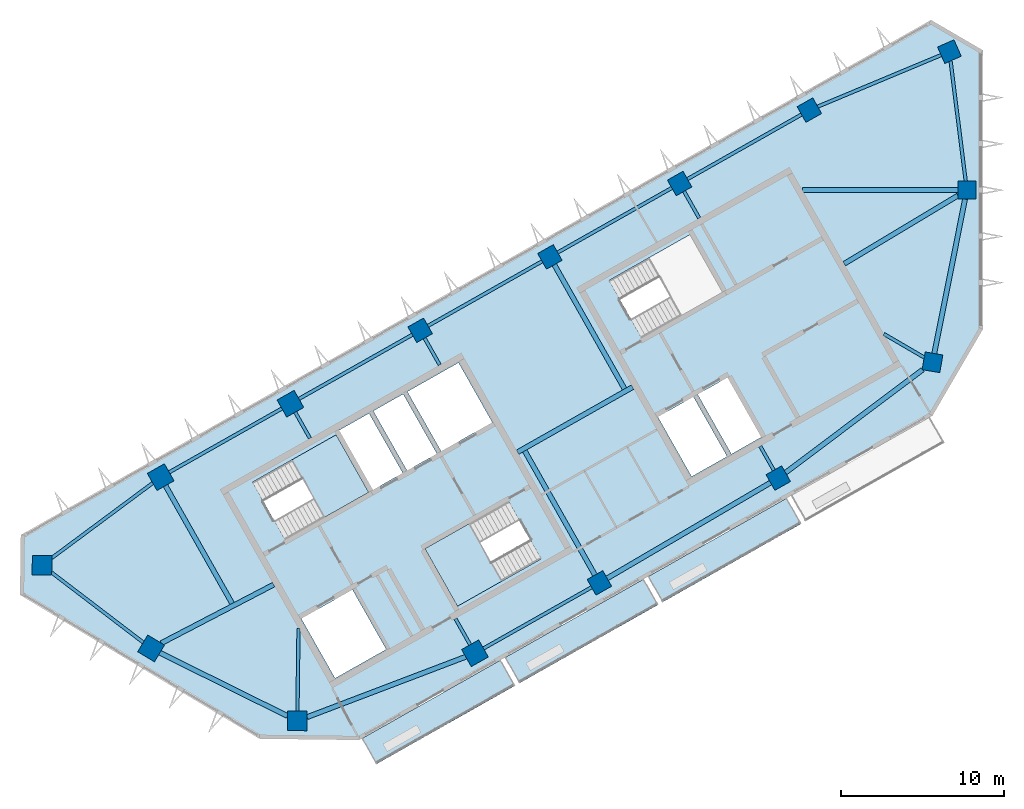
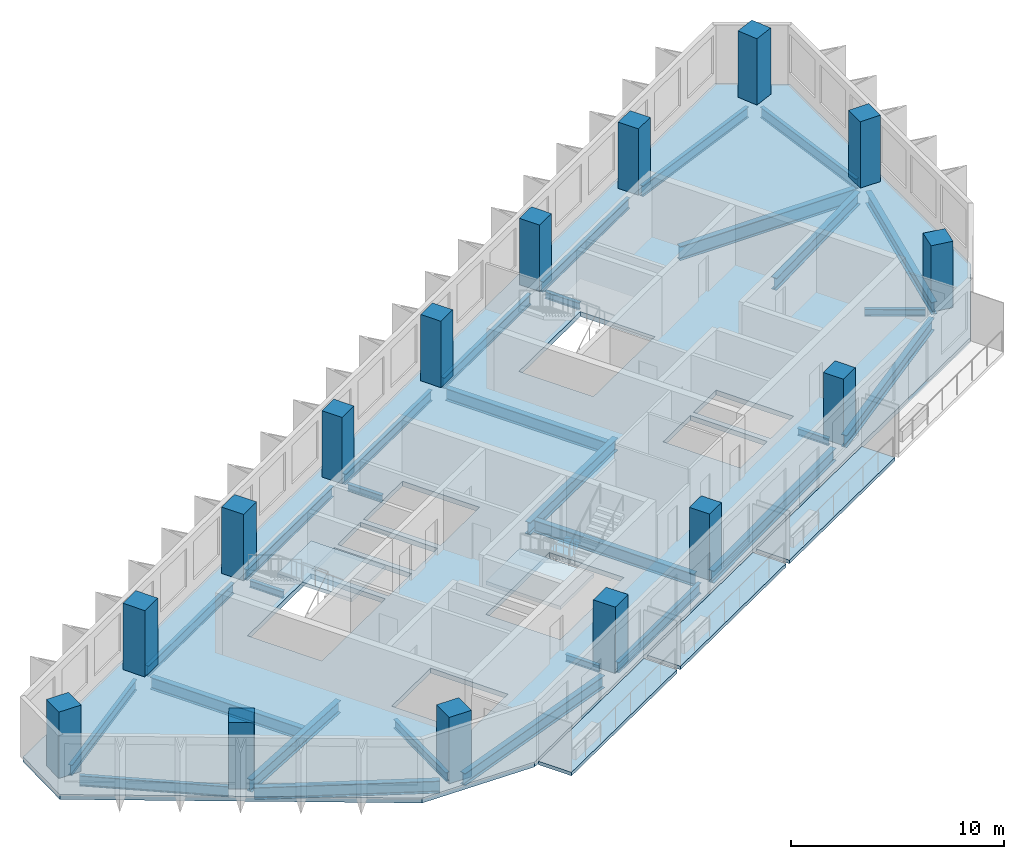
# One storey, part 1 of 8: 29 beams, 15 columns, 6 slabs, 2 elements without a shape of their own.
"""IFC4 building model written with IfcOpenShell, lengths in metres."""

from ifc_helpers import new_model, si_unit, direction, frame, origin, origin_2d, place, context, subcontext, project, spatial, polyline, rectangle, i_section, outline, extrude, material, layer, layer_set, material_profile, profile_set, type_object, element, aggregate, save


model = new_model("IFC4")

# Units and contexts
model_context = context("Model", 3, precision=1e-05, world=origin(), true_north=direction((0.0, 1.0)))
body_context = subcontext(model_context, "Body", "Model", "MODEL_VIEW")
ifc_project = project(units=[si_unit("LENGTHUNIT", "METRE"), si_unit("AREAUNIT", "SQUARE_METRE"), si_unit("VOLUMEUNIT", "CUBIC_METRE"), si_unit("PLANEANGLEUNIT", "RADIAN"), si_unit("MASSUNIT", "GRAM", prefix="KILO")], contexts=[model_context])

# Site, building, storey
site_placement = place(None, origin())
site = spatial("IfcSite", under=ifc_project, at=site_placement, CompositionType="ELEMENT")
building_placement = place(site_placement, origin())
building = spatial("IfcBuilding", under=site, at=building_placement, Name="Binnacle Exchange Tower", CompositionType="ELEMENT")
storey_placement = place(building_placement, frame((0.0, 0.0, 308.300048828125)))
storey = spatial("IfcBuildingStorey", under=building, at=storey_placement, Name="L69", CompositionType="ELEMENT", Elevation=308.300048828125)

# Columns
ifc_material_1 = material(Name="Concrete C60/75", Category="concrete")
ifc_material_profile_1 = material_profile(ifc_material_1, rectangle(XDim=1.10009765625, YDim=1.10009765625, at=origin_2d()), Name="Mega column 1100x1100 C60/75")
ifc_profile_set_1 = profile_set([ifc_material_profile_1], Name="Concrete C60/75")
column_type_1 = type_object("IfcColumnType", Name="Mega column 1100x1100 C60/75", PredefinedType="COLUMN", material=ifc_profile_set_1)
for number, where, z_axis, x_axis, name in (
    (1, (-10.4951171875, 64.901611328125, 0.0), (0.0, 0.0, 1.0), (-0.87035569594, -0.492423560103, 0.0), "S:COL:MC38:L69"),
    (2, (-18.44140625, 60.406005859375, 0.0), (0.0, 0.0, 1.0), (-0.87035569594, -0.492423560103, 0.0), "S:COL:MC29:L69"),
    (3, (-26.3876953125, 55.91015625, 0.0), (0.0, 0.0, 1.0), (-0.87035569594, -0.492423560103, 0.0), "S:COL:MC21:L69"),
    (4, (-34.333740234375, 51.414306640625, 0.0), (0.0, 0.0, 1.0), (-0.87035569594, -0.492423560103, 0.0), "S:COL:MC13:L69"),
    (5, (-23.35595703125, 35.9462890625, 0.0), (0.0, 0.0, 1.0), (0.87035569594, 0.492423560103, 0.0), "S:COL:MC16:L69"),
    (6, (-2.955322265625, 49.45556640625, 0.0), (0.0, 0.0, 1.0), (-0.98522612636, 0.171258517854, 0.0), "S:COL:MC43:L69"),
    (7, (-0.85009765625, 60.0, 0.0), (0.0, 0.0, 1.0), (0.0, 1.0, 0.0), "S:COL:MC45:L69"),
    (8, (-1.920166015625, 68.4833984375, 0.0), (0.0, 0.0, 1.0), (-0.91471298536, -0.40410413808, 0.0), "S:COL:MC44:L69"),
    (9, (-12.39990234375, 42.36328125, 0.0), (0.0, 0.0, 1.0), (0.87035569594, 0.492423560103, 0.0), "S:COL:MC30:L69"),
):
    element("IfcColumn", number, at=place(storey_placement, frame(where, z_axis=z_axis, x_axis=x_axis)), inside=storey, type_object=column_type_1, Name=name, PredefinedType="COLUMN", context=body_context, shape_type="SweptSolid", body=[
        extrude(rectangle(XDim=1.10009765625, YDim=1.10009765625, at=origin_2d()), origin(), (0.0, 0.0, 1.0), 3.800048828125),
    ])
ifc_material_profile_2 = material_profile(ifc_material_1, rectangle(XDim=1.199951171875, YDim=1.199951171875, at=origin_2d()), Name="Mega column 1200x1200 C60/75")
ifc_profile_set_2 = profile_set([ifc_material_profile_2], Name="Concrete C60/75")
column_type_2 = type_object("IfcColumnType", Name="Mega column 1200x1200 C60/75", PredefinedType="COLUMN", material=ifc_profile_set_2)
for number, where, z_axis, x_axis, name in (
    (10, (-42.280029296875, 46.918701171875, 0.0), (0.0, 0.0, 1.0), (-0.87035569594, -0.492423560103, 0.0), "S:COL:MC08:L69"),
    (11, (-50.226318359375, 42.4228515625, 0.0), (0.0, 0.0, 1.0), (-0.87035569594, -0.492423560103, 0.0), "S:COL:MC04:L69"),
    (12, (-57.492919921875, 37.02734375, 0.0), (0.0, 0.0, 1.0), (-0.013089595571, -0.999914327574, 0.0), "S:COL:MC02:L69"),
    (13, (-50.81201171875, 31.930908203125, 0.0), (0.0, 0.0, 1.0), (0.857167300702, -0.51503807491, 0.0), "S:COL:MC01:L69"),
    (14, (-41.857666015625, 27.494873046875, 0.0), (0.0, 0.0, 1.0), (0.999914327574, -0.013089595571, 0.0), "S:COL:MC03:L69"),
    (15, (-30.9755859375, 31.63525390625, 0.0), (0.0, 0.0, 1.0), (0.87035569594, 0.492423560103, 0.0), "S:COL:MC07:L69"),
):
    element("IfcColumn", number, at=place(storey_placement, frame(where, z_axis=z_axis, x_axis=x_axis)), inside=storey, type_object=column_type_2, Name=name, PredefinedType="COLUMN", context=body_context, shape_type="SweptSolid", body=[
        extrude(rectangle(XDim=1.199951171875, YDim=1.199951171875, at=origin_2d()), origin(), (0.0, 0.0, 1.0), 3.800048828125),
    ])

# Beams
ifc_material_2 = material(Name="Steel S355 (SHN355)", Category="steel")
ifc_material_profile_3 = material_profile(ifc_material_2, i_section(OverallWidth=0.199951171875, OverallDepth=0.60009765625, WebThickness=0.010986328125, FlangeThickness=0.01708984375, FilletRadius=0.02197265625, at=origin_2d()), Name="H 600x200x11x17")
ifc_profile_set_3 = profile_set([ifc_material_profile_3], Name="Steel S355 (SHN355)")
beam_type_1 = type_object("IfcBeamType", Name="Edge girder H 600x200x11x17 Steel S355 (SHN355)", PredefinedType="SPANDREL", material=ifc_profile_set_3)
beam_1_placement = place(storey_placement, frame((-56.89892578125, 36.57421875, -0.580078125), z_axis=(0.795079526259, -0.606505191176, 0.0), x_axis=(0.606505191176, 0.795079526259, 0.0)))
element("IfcBeam", 16, at=beam_1_placement, inside=storey, type_object=beam_type_1, Name="S:BM:edge:L69:004", PredefinedType="SPANDREL", context=body_context, shape_type="SweptSolid", body=[
    extrude(i_section(OverallWidth=0.199951171875, OverallDepth=0.60009765625, WebThickness=0.010986328125, FlangeThickness=0.01708984375, FilletRadius=0.02197265625, at=origin_2d()), origin(), (0.0, 0.0, 1.0), 7.052001953125),
])
ifc_material_profile_4 = material_profile(ifc_material_2, i_section(OverallWidth=0.200927734375, OverallDepth=0.60595703125, WebThickness=0.011962890625, FlangeThickness=0.02001953125, FilletRadius=0.02197265625, at=origin_2d()), Name="H 606x201x12x20")
ifc_profile_set_4 = profile_set([ifc_material_profile_4], Name="Steel S355 (SHN355)")
beam_type_2 = type_object("IfcBeamType", Name="Edge girder H 606x201x12x20 Steel S355 (SHN355)", PredefinedType="SPANDREL", material=ifc_profile_set_4)
beam_2_placement = place(storey_placement, frame((-50.711669921875, 42.0625, -0.5830078125), z_axis=(-0.802889255085, -0.596128211099, 0.0), x_axis=(0.596128211099, -0.802889255085, 0.0)))
element("IfcBeam", 17, at=beam_2_placement, inside=storey, type_object=beam_type_2, Name="S:BM:edge:L69:005", PredefinedType="SPANDREL", context=body_context, shape_type="SweptSolid", body=[
    extrude(i_section(OverallWidth=0.200927734375, OverallDepth=0.60595703125, WebThickness=0.011962890625, FlangeThickness=0.02001953125, FilletRadius=0.02197265625, at=origin_2d()), origin(), (0.0, 0.0, 1.0), 7.691650390625),
])
beam_3_placement = place(storey_placement, frame((-30.453369140625, 31.930908203125, -0.5830078125), z_axis=(0.870370831478, 0.49239680717, 0.0), x_axis=(-0.49239680717, 0.870370831478, 0.0)))
element("IfcBeam", 18, at=beam_3_placement, inside=storey, type_object=beam_type_2, Name="S:BM:edge:L69:010", PredefinedType="SPANDREL", context=body_context, shape_type="SweptSolid", body=[
    extrude(i_section(OverallWidth=0.200927734375, OverallDepth=0.60595703125, WebThickness=0.011962890625, FlangeThickness=0.02001953125, FilletRadius=0.02197265625, at=origin_2d()), origin(), (0.0, 0.0, 1.0), 7.6044921875),
])
beam_4_placement = place(storey_placement, frame((-0.91943359375, 60.550048828125, -0.5830078125), z_axis=(-0.125160121745, 0.992136555079, 0.0), x_axis=(-0.992136555079, -0.125160121745, 0.0)))
element("IfcBeam", 19, at=beam_4_placement, inside=storey, type_object=beam_type_2, Name="S:BM:edge:L69:018", PredefinedType="SPANDREL", context=body_context, shape_type="SweptSolid", body=[
    extrude(i_section(OverallWidth=0.200927734375, OverallDepth=0.60595703125, WebThickness=0.011962890625, FlangeThickness=0.02001953125, FilletRadius=0.02197265625, at=origin_2d()), origin(), (0.0, 0.0, 1.0), 7.422119140625),
])
ifc_material_profile_5 = material_profile(ifc_material_2, i_section(OverallWidth=0.201904296875, OverallDepth=0.612060546875, WebThickness=0.012939453125, FlangeThickness=0.02294921875, FilletRadius=0.02197265625, at=origin_2d()), Name="H 612x202x13x23")
ifc_profile_set_5 = profile_set([ifc_material_profile_5], Name="Steel S355 (SHN355)")
beam_type_3 = type_object("IfcBeamType", Name="Edge girder H 612x202x13x23 Steel S355 (SHN355)", PredefinedType="SPANDREL", material=ifc_profile_set_5)
beam_5_placement = place(storey_placement, frame((-42.80224609375, 46.623291015625, -0.5859375), z_axis=(-0.870360926906, -0.492414314288, 0.0), x_axis=(0.492414314288, -0.870360926906, 0.0)))
element("IfcBeam", 20, at=beam_5_placement, inside=storey, type_object=beam_type_3, Name="S:BM:edge:L69:007", PredefinedType="SPANDREL", context=body_context, shape_type="SweptSolid", body=[
    extrude(i_section(OverallWidth=0.201904296875, OverallDepth=0.612060546875, WebThickness=0.012939453125, FlangeThickness=0.02294921875, FilletRadius=0.02197265625, at=origin_2d()), origin(), (0.0, 0.0, 1.0), 7.929931640625),
])
beam_6_placement = place(storey_placement, frame((-34.8125, 51.1435546875, -0.5859375), z_axis=(-0.870357059543, -0.492421149935, 0.0), x_axis=(0.492421149935, -0.870357059543, 0.0)))
element("IfcBeam", 21, at=beam_6_placement, inside=storey, type_object=beam_type_3, Name="S:BM:edge:L69:009", PredefinedType="SPANDREL", context=body_context, shape_type="SweptSolid", body=[
    extrude(i_section(OverallWidth=0.201904296875, OverallDepth=0.612060546875, WebThickness=0.012939453125, FlangeThickness=0.02294921875, FilletRadius=0.02197265625, at=origin_2d()), origin(), (0.0, 0.0, 1.0), 7.979736328125),
])
beam_7_placement = place(storey_placement, frame((-26.8662109375, 55.639404296875, -0.5859375), z_axis=(-0.870353240257, -0.492427900482, 0.0), x_axis=(0.492427900482, -0.870353240257, 0.0)))
element("IfcBeam", 22, at=beam_7_placement, inside=storey, type_object=beam_type_3, Name="S:BM:edge:L69:011", PredefinedType="SPANDREL", context=body_context, shape_type="SweptSolid", body=[
    extrude(i_section(OverallWidth=0.201904296875, OverallDepth=0.612060546875, WebThickness=0.012939453125, FlangeThickness=0.02294921875, FilletRadius=0.02197265625, at=origin_2d()), origin(), (0.0, 0.0, 1.0), 8.02978515625),
])
beam_8_placement = place(storey_placement, frame((-18.919921875, 60.13525390625, -0.5859375), z_axis=(-0.870347582166, -0.492437900875, 0.0), x_axis=(0.492437900875, -0.870347582166, 0.0)))
element("IfcBeam", 23, at=beam_8_placement, inside=storey, type_object=beam_type_3, Name="S:BM:edge:L69:013", PredefinedType="SPANDREL", context=body_context, shape_type="SweptSolid", body=[
    extrude(i_section(OverallWidth=0.201904296875, OverallDepth=0.612060546875, WebThickness=0.012939453125, FlangeThickness=0.02294921875, FilletRadius=0.02197265625, at=origin_2d()), origin(), (0.0, 0.0, 1.0), 8.030029296875),
])
beam_9_placement = place(storey_placement, frame((-10.973876953125, 64.630859375, -0.5859375), z_axis=(-0.870353240257, -0.492427900482, 0.0), x_axis=(0.492427900482, -0.870353240257, 0.0)))
element("IfcBeam", 24, at=beam_9_placement, inside=storey, type_object=beam_type_3, Name="S:BM:edge:L69:015", PredefinedType="SPANDREL", context=body_context, shape_type="SweptSolid", body=[
    extrude(i_section(OverallWidth=0.201904296875, OverallDepth=0.612060546875, WebThickness=0.012939453125, FlangeThickness=0.02294921875, FilletRadius=0.02197265625, at=origin_2d()), origin(), (0.0, 0.0, 1.0), 8.02978515625),
])
beam_10_placement = place(storey_placement, frame((-2.427734375, 68.271240234375, -0.5859375), z_axis=(-0.922746687756, -0.385406992977, 0.0), x_axis=(0.385406992977, -0.922746687756, 0.0)))
element("IfcBeam", 25, at=beam_10_placement, inside=storey, type_object=beam_type_3, Name="S:BM:edge:L69:017", PredefinedType="SPANDREL", context=body_context, shape_type="SweptSolid", body=[
    extrude(i_section(OverallWidth=0.201904296875, OverallDepth=0.612060546875, WebThickness=0.012939453125, FlangeThickness=0.02294921875, FilletRadius=0.02197265625, at=origin_2d()), origin(), (0.0, 0.0, 1.0), 8.188720703125),
])
ifc_material_profile_6 = material_profile(ifc_material_2, i_section(OverallWidth=0.300048828125, OverallDepth=0.699951171875, WebThickness=0.012939453125, FlangeThickness=0.02392578125, FilletRadius=0.028076171875, at=origin_2d()), Name="H 700x300x13x24")
ifc_profile_set_6 = profile_set([ifc_material_profile_6], Name="Steel S355 (SHN355)")
beam_type_4 = type_object("IfcBeamType", Name="Edge girder H 700x300x13x24 Steel S355 (SHN355)", PredefinedType="SPANDREL", material=ifc_profile_set_6)
beam_11_placement = place(storey_placement, frame((-50.272705078125, 31.663818359375, -0.630126953125), z_axis=(0.896066323919, -0.443920199066, 0.0), x_axis=(0.443920199066, 0.896066323919, 0.0)))
element("IfcBeam", 26, at=beam_11_placement, inside=storey, type_object=beam_type_4, Name="S:BM:edge:L69:006", PredefinedType="SPANDREL", context=body_context, shape_type="SweptSolid", body=[
    extrude(i_section(OverallWidth=0.300048828125, OverallDepth=0.699951171875, WebThickness=0.012939453125, FlangeThickness=0.02392578125, FilletRadius=0.028076171875, at=origin_2d()), origin(), (0.0, 0.0, 1.0), 8.725830078125),
])
beam_12_placement = place(storey_placement, frame((-41.254638671875, 27.724365234375, -0.630126953125), z_axis=(0.934635421438, 0.355607408519, 0.0), x_axis=(-0.355607408519, 0.934635421438, 0.0)))
element("IfcBeam", 27, at=beam_12_placement, inside=storey, type_object=beam_type_4, Name="S:BM:edge:L69:008", PredefinedType="SPANDREL", context=body_context, shape_type="SweptSolid", body=[
    extrude(i_section(OverallWidth=0.300048828125, OverallDepth=0.699951171875, WebThickness=0.012939453125, FlangeThickness=0.02392578125, FilletRadius=0.028076171875, at=origin_2d()), origin(), (0.0, 0.0, 1.0), 10.390869140625),
])
beam_13_placement = place(storey_placement, frame((-11.95654296875, 42.6962890625, -0.630126953125), z_axis=(0.799642767002, 0.600476015493, 0.0), x_axis=(-0.600476015493, 0.799642767002, 0.0)))
element("IfcBeam", 28, at=beam_13_placement, inside=storey, type_object=beam_type_4, Name="S:BM:edge:L69:014", PredefinedType="SPANDREL", context=body_context, shape_type="SweptSolid", body=[
    extrude(i_section(OverallWidth=0.300048828125, OverallDepth=0.699951171875, WebThickness=0.012939453125, FlangeThickness=0.02392578125, FilletRadius=0.028076171875, at=origin_2d()), origin(), (0.0, 0.0, 1.0), 10.50146484375),
])
beam_14_placement = place(storey_placement, frame((-2.84765625, 49.9951171875, -0.630126953125), z_axis=(0.195814210945, 0.980641012191, 0.0), x_axis=(-0.980641012191, 0.195814210945, 0.0)))
element("IfcBeam", 29, at=beam_14_placement, inside=storey, type_object=beam_type_4, Name="S:BM:edge:L69:016", PredefinedType="SPANDREL", context=body_context, shape_type="SweptSolid", body=[
    extrude(i_section(OverallWidth=0.300048828125, OverallDepth=0.699951171875, WebThickness=0.012939453125, FlangeThickness=0.02392578125, FilletRadius=0.028076171875, at=origin_2d()), origin(), (0.0, 0.0, 1.0), 9.6416015625),
])
ifc_material_profile_7 = material_profile(ifc_material_2, i_section(OverallWidth=0.302001953125, OverallDepth=0.7080078125, WebThickness=0.014892578125, FlangeThickness=0.028076171875, FilletRadius=0.028076171875, at=origin_2d()), Name="H 708x302x15x28")
ifc_profile_set_7 = profile_set([ifc_material_profile_7], Name="Steel S355 (SHN355)")
beam_type_5 = type_object("IfcBeamType", Name="Edge girder H 708x302x15x28 Steel S355 (SHN355)", PredefinedType="SPANDREL", material=ifc_profile_set_7)
beam_15_placement = place(storey_placement, frame((-22.88134765625, 36.22412109375, -0.634033203125), z_axis=(0.86288572191, 0.50539908085, 0.0), x_axis=(-0.50539908085, 0.86288572191, 0.0)))
element("IfcBeam", 30, at=beam_15_placement, inside=storey, type_object=beam_type_5, Name="S:BM:edge:L69:012", PredefinedType="SPANDREL", context=body_context, shape_type="SweptSolid", body=[
    extrude(i_section(OverallWidth=0.302001953125, OverallDepth=0.7080078125, WebThickness=0.014892578125, FlangeThickness=0.028076171875, FilletRadius=0.028076171875, at=origin_2d()), origin(), (0.0, 0.0, 1.0), 11.596923828125),
])
ifc_material_profile_8 = material_profile(ifc_material_2, i_section(OverallWidth=0.199951171875, OverallDepth=0.39990234375, WebThickness=0.008056640625, FlangeThickness=0.012939453125, FilletRadius=0.01611328125, at=origin_2d()), Name="H 400x200x8x13")
ifc_profile_set_8 = profile_set([ifc_material_profile_8], Name="Steel S355 (SHN355)")
beam_type_6 = type_object("IfcBeamType", Name="Floor beam H 400x200x8x13 Steel S355 (SHN355)", PredefinedType="BEAM", material=ifc_profile_set_8)
beam_16_placement = place(storey_placement, frame((-41.984619140625, 46.396484375, -0.47998046875), z_axis=(0.492465079532, -0.87033220407, 0.0), x_axis=(0.87033220407, 0.492465079532, 0.0)))
element("IfcBeam", 31, at=beam_16_placement, inside=storey, type_object=beam_type_6, Name="S:BM:cross:L69:020", PredefinedType="BEAM", context=body_context, shape_type="SweptSolid", body=[
    extrude(i_section(OverallWidth=0.199951171875, OverallDepth=0.39990234375, WebThickness=0.008056640625, FlangeThickness=0.012939453125, FilletRadius=0.01611328125, at=origin_2d()), origin(), (0.0, 0.0, 1.0), 1.834228515625),
])
beam_17_placement = place(storey_placement, frame((-34.06298828125, 50.935791015625, -0.47998046875), z_axis=(0.492437150105, -0.870348006947, 0.0), x_axis=(0.870348006947, 0.492437150105, 0.0)))
element("IfcBeam", 32, at=beam_17_placement, inside=storey, type_object=beam_type_6, Name="S:BM:cross:L69:022", PredefinedType="BEAM", context=body_context, shape_type="SweptSolid", body=[
    extrude(i_section(OverallWidth=0.199951171875, OverallDepth=0.39990234375, WebThickness=0.008056640625, FlangeThickness=0.012939453125, FilletRadius=0.01611328125, at=origin_2d()), origin(), (0.0, 0.0, 1.0), 1.884521484375),
])
beam_18_placement = place(storey_placement, frame((-31.27099609375, 32.157470703125, -0.47998046875), z_axis=(-0.492465079532, 0.87033220407, 0.0), x_axis=(-0.87033220407, -0.492465079532, 0.0)))
element("IfcBeam", 33, at=beam_18_placement, inside=storey, type_object=beam_type_6, Name="S:BM:cross:L69:023", PredefinedType="BEAM", context=body_context, shape_type="SweptSolid", body=[
    extrude(i_section(OverallWidth=0.199951171875, OverallDepth=0.39990234375, WebThickness=0.008056640625, FlangeThickness=0.012939453125, FilletRadius=0.01611328125, at=origin_2d()), origin(), (0.0, 0.0, 1.0), 1.834228515625),
])
beam_19_placement = place(storey_placement, frame((-18.17041015625, 59.92724609375, -0.47998046875), z_axis=(0.492394529663, -0.870372119934, 0.0), x_axis=(0.870372119934, 0.492394529663, 0.0)))
element("IfcBeam", 34, at=beam_19_placement, inside=storey, type_object=beam_type_6, Name="S:BM:cross:L69:026", PredefinedType="BEAM", context=body_context, shape_type="SweptSolid", body=[
    extrude(i_section(OverallWidth=0.199951171875, OverallDepth=0.39990234375, WebThickness=0.008056640625, FlangeThickness=0.012939453125, FilletRadius=0.01611328125, at=origin_2d()), origin(), (0.0, 0.0, 1.0), 1.884033203125),
])
beam_20_placement = place(storey_placement, frame((-12.6708984375, 42.841796875, -0.47998046875), z_axis=(-0.492394350893, 0.870372221069, 0.0), x_axis=(-0.870372221069, -0.492394350893, 0.0)))
element("IfcBeam", 35, at=beam_20_placement, inside=storey, type_object=beam_type_6, Name="S:BM:cross:L69:027", PredefinedType="BEAM", context=body_context, shape_type="SweptSolid", body=[
    extrude(i_section(OverallWidth=0.199951171875, OverallDepth=0.39990234375, WebThickness=0.008056640625, FlangeThickness=0.012939453125, FilletRadius=0.01611328125, at=origin_2d()), origin(), (0.0, 0.0, 1.0), 1.6943359375),
])
beam_21_placement = place(storey_placement, frame((-3.46240234375, 49.751220703125, -0.47998046875), z_axis=(-0.863840862356, 0.503764790874, 0.0), x_axis=(-0.503764790874, -0.863840862356, 0.0)))
element("IfcBeam", 36, at=beam_21_placement, inside=storey, type_object=beam_type_6, Name="S:BM:cross:L69:028", PredefinedType="BEAM", context=body_context, shape_type="SweptSolid", body=[
    extrude(i_section(OverallWidth=0.199951171875, OverallDepth=0.39990234375, WebThickness=0.008056640625, FlangeThickness=0.012939453125, FilletRadius=0.01611328125, at=origin_2d()), origin(), (0.0, 0.0, 1.0), 2.85791015625),
])
ifc_material_profile_9 = material_profile(ifc_material_2, i_section(OverallWidth=0.200927734375, OverallDepth=0.506103515625, WebThickness=0.010986328125, FlangeThickness=0.01904296875, FilletRadius=0.02001953125, at=origin_2d()), Name="H 506x201x11x19")
ifc_profile_set_9 = profile_set([ifc_material_profile_9], Name="Steel S355 (SHN355)")
beam_type_7 = type_object("IfcBeamType", Name="Floor beam H 506x201x11x19 Steel S355 (SHN355)", PredefinedType="BEAM", material=ifc_profile_set_9)
beam_22_placement = place(storey_placement, frame((-41.849853515625, 28.0947265625, -0.532958984375), z_axis=(0.013099523714, 0.999914197558, 0.0), x_axis=(-0.999914197558, 0.013099523714, 0.0)))
element("IfcBeam", 37, at=beam_22_placement, inside=storey, type_object=beam_type_7, Name="S:BM:cross:L69:021", PredefinedType="BEAM", context=body_context, shape_type="SweptSolid", body=[
    extrude(i_section(OverallWidth=0.200927734375, OverallDepth=0.506103515625, WebThickness=0.010986328125, FlangeThickness=0.01904296875, FilletRadius=0.02001953125, at=origin_2d()), origin(), (0.0, 0.0, 1.0), 5.05078125),
])
ifc_material_profile_10 = material_profile(ifc_material_2, i_section(OverallWidth=0.300048828125, OverallDepth=0.699951171875, WebThickness=0.012939453125, FlangeThickness=0.02392578125, FilletRadius=0.028076171875, at=origin_2d()), Name="H 700x300x13x24")
ifc_profile_set_10 = profile_set([ifc_material_profile_10], Name="Steel S355 (SHN355)")
beam_type_8 = type_object("IfcBeamType", Name="Floor beam H 700x300x13x24 Steel S355 (SHN355)", PredefinedType="BEAM", material=ifc_profile_set_10)
beam_23_placement = place(storey_placement, frame((-49.9306640625, 41.900634765625, -0.630126953125), z_axis=(0.492421066821, -0.870357106566, 0.0), x_axis=(0.870357106566, 0.492421066821, 0.0)))
element("IfcBeam", 38, at=beam_23_placement, inside=storey, type_object=beam_type_8, Name="S:BM:cross:L69:019", PredefinedType="BEAM", context=body_context, shape_type="SweptSolid", body=[
    extrude(i_section(OverallWidth=0.300048828125, OverallDepth=0.699951171875, WebThickness=0.012939453125, FlangeThickness=0.02392578125, FilletRadius=0.028076171875, at=origin_2d()), origin(), (0.0, 0.0, 1.0), 8.291259765625),
])
ifc_material_profile_11 = material_profile(ifc_material_2, i_section(OverallWidth=0.302001953125, OverallDepth=0.7080078125, WebThickness=0.014892578125, FlangeThickness=0.028076171875, FilletRadius=0.028076171875, at=origin_2d()), Name="H 708x302x15x28")
ifc_profile_set_11 = profile_set([ifc_material_profile_11], Name="Steel S355 (SHN355)")
beam_type_9 = type_object("IfcBeamType", Name="Floor beam H 708x302x15x28 Steel S355 (SHN355)", PredefinedType="BEAM", material=ifc_profile_set_11)
beam_24_placement = place(storey_placement, frame((-26.11669921875, 55.431396484375, -0.634033203125), z_axis=(0.492413671625, -0.870361290497, 0.0), x_axis=(0.870361290497, 0.492413671625, 0.0)))
element("IfcBeam", 39, at=beam_24_placement, inside=storey, type_object=beam_type_9, Name="S:BM:cross:L69:024", PredefinedType="BEAM", context=body_context, shape_type="SweptSolid", body=[
    extrude(i_section(OverallWidth=0.302001953125, OverallDepth=0.7080078125, WebThickness=0.014892578125, FlangeThickness=0.028076171875, FilletRadius=0.028076171875, at=origin_2d()), origin(), (0.0, 0.0, 1.0), 8.734130859375),
])
beam_25_placement = place(storey_placement, frame((-23.626708984375, 36.4248046875, -0.634033203125), z_axis=(-0.492422866295, 0.870356088477, 0.0), x_axis=(-0.870356088477, -0.492422866295, 0.0)))
element("IfcBeam", 40, at=beam_25_placement, inside=storey, type_object=beam_type_9, Name="S:BM:cross:L69:025", PredefinedType="BEAM", context=body_context, shape_type="SweptSolid", body=[
    extrude(i_section(OverallWidth=0.302001953125, OverallDepth=0.7080078125, WebThickness=0.014892578125, FlangeThickness=0.028076171875, FilletRadius=0.028076171875, at=origin_2d()), origin(), (0.0, 0.0, 1.0), 8.734375),
])
ifc_material_profile_12 = material_profile(ifc_material_2, i_section(OverallWidth=0.300048828125, OverallDepth=0.800048828125, WebThickness=0.013916015625, FlangeThickness=0.02587890625, FilletRadius=0.028076171875, at=origin_2d()), Name="H 800x300x14x26")
ifc_profile_set_12 = profile_set([ifc_material_profile_12], Name="Steel S355 (SHN355)")
beam_type_10 = type_object("IfcBeamType", Name="Floor beam H 800x300x14x26 Steel S355 (SHN355)", PredefinedType="BEAM", material=ifc_profile_set_12)
beam_26_placement = place(storey_placement, frame((-1.39990234375, 60.0, -0.679931640625), z_axis=(-1.0, 0.0, 0.0), x_axis=(0.0, -1.0, 0.0)))
element("IfcBeam", 41, at=beam_26_placement, inside=storey, type_object=beam_type_10, Name="S:BM:cross:L69:029", PredefinedType="BEAM", context=body_context, shape_type="SweptSolid", body=[
    extrude(i_section(OverallWidth=0.300048828125, OverallDepth=0.800048828125, WebThickness=0.013916015625, FlangeThickness=0.02587890625, FilletRadius=0.028076171875, at=origin_2d()), origin(), (0.0, 0.0, 1.0), 9.51513671875),
])
ifc_material_profile_13 = material_profile(ifc_material_2, i_section(OverallWidth=0.300048828125, OverallDepth=0.699951171875, WebThickness=0.012939453125, FlangeThickness=0.02392578125, FilletRadius=0.028076171875, at=origin_2d()), Name="H 700x300x13x24")
ifc_profile_set_13 = profile_set([ifc_material_profile_13], Name="Steel S355 (SHN355)")
beam_type_11 = type_object("IfcBeamType", Name="Spine girder H 700x300x13x24 Steel S355 (SHN355)", PredefinedType="BEAM", material=ifc_profile_set_13)
beam_27_placement = place(storey_placement, frame((-50.18798828125, 32.255859375, -0.630126953125), z_axis=(0.886980159322, 0.461807532387, 0.0), x_axis=(-0.461807532387, 0.886980159322, 0.0)))
element("IfcBeam", 42, at=beam_27_placement, inside=storey, type_object=beam_type_11, Name="S:BM:spine:L69:001", PredefinedType="BEAM", context=body_context, shape_type="SweptSolid", body=[
    extrude(i_section(OverallWidth=0.300048828125, OverallDepth=0.699951171875, WebThickness=0.012939453125, FlangeThickness=0.02392578125, FilletRadius=0.028076171875, at=origin_2d()), origin(), (0.0, 0.0, 1.0), 7.757080078125),
])
beam_28_placement = place(storey_placement, frame((-8.36328125, 55.489990234375, -0.630126953125), z_axis=(0.857389464427, 0.514668151618, 0.0), x_axis=(-0.514668151618, 0.857389464427, 0.0)))
element("IfcBeam", 43, at=beam_28_placement, inside=storey, type_object=beam_type_11, Name="S:BM:spine:L69:003", PredefinedType="BEAM", context=body_context, shape_type="SweptSolid", body=[
    extrude(i_section(OverallWidth=0.300048828125, OverallDepth=0.699951171875, WebThickness=0.012939453125, FlangeThickness=0.02392578125, FilletRadius=0.028076171875, at=origin_2d()), origin(), (0.0, 0.0, 1.0), 8.12158203125),
])
ifc_material_profile_14 = material_profile(ifc_material_2, i_section(OverallWidth=0.302001953125, OverallDepth=0.7080078125, WebThickness=0.014892578125, FlangeThickness=0.028076171875, FilletRadius=0.028076171875, at=origin_2d()), Name="H 708x302x15x28")
ifc_profile_set_14 = profile_set([ifc_material_profile_14], Name="Steel S355 (SHN355)")
beam_type_12 = type_object("IfcBeamType", Name="Spine girder H 708x302x15x28 Steel S355 (SHN355)", PredefinedType="BEAM", material=ifc_profile_set_14)
beam_29_placement = place(storey_placement, frame((-28.365478515625, 43.951416015625, -0.634033203125), z_axis=(0.870350319004, 0.492433063684, 0.0), x_axis=(-0.492433063684, 0.870350319004, 0.0)))
element("IfcBeam", 44, at=beam_29_placement, inside=storey, type_object=beam_type_12, Name="S:BM:spine:L69:002", PredefinedType="BEAM", context=body_context, shape_type="SweptSolid", body=[
    extrude(i_section(OverallWidth=0.302001953125, OverallDepth=0.7080078125, WebThickness=0.014892578125, FlangeThickness=0.028076171875, FilletRadius=0.028076171875, at=origin_2d()), origin(), (0.0, 0.0, 1.0), 8.0908203125),
])

# Slabs
ifc_material_3 = material(Name="Concrete C35/45", Category="concrete")
ifc_layer_1 = layer(ifc_material_3, 0.199951171875)
ifc_layer_set_1 = layer_set([ifc_layer_1], Name="BALCONY SLAB 200")
slab_type_1 = type_object("IfcSlabType", Name="BALCONY SLAB 200", PredefinedType="FLOOR", material=ifc_layer_set_1)
slab_1_placement = place(storey_placement, frame((0.0, 0.0, -0.199951171875)))
element("IfcSlab", 45, at=slab_1_placement, inside=storey, type_object=slab_type_1, Name="Balcony BA-H07-00 L69", PredefinedType="FLOOR", context=body_context, shape_type="SweptSolid", body=[
    extrude(outline(polyline([(-37.90576171875, 26.410400390625), (-29.40380859375, 31.220458984375), (-28.517578125, 29.65380859375), (-37.019287109375, 24.84375), (-37.90576171875, 26.410400390625)])), origin(), (0.0, 0.0, 1.0), 0.199951171875),
])
slab_2_placement = place(storey_placement, frame((0.0, 0.0, -0.199951171875)))
element("IfcSlab", 46, at=slab_2_placement, inside=storey, type_object=slab_type_1, Name="Balcony BA-H07-01 L69", PredefinedType="FLOOR", context=body_context, shape_type="SweptSolid", body=[
    extrude(outline(polyline([(-29.142822265625, 31.3681640625), (-20.64111328125, 36.17822265625), (-19.754638671875, 34.611572265625), (-28.25634765625, 29.801513671875), (-29.142822265625, 31.3681640625)])), origin(), (0.0, 0.0, 1.0), 0.199951171875),
])
slab_3_placement = place(storey_placement, frame((0.0, 0.0, -0.199951171875)))
element("IfcSlab", 47, at=slab_3_placement, inside=storey, type_object=slab_type_1, Name="Balcony BA-H07-02 L69", PredefinedType="FLOOR", context=body_context, shape_type="SweptSolid", body=[
    extrude(outline(polyline([(-20.3798828125, 36.325927734375), (-11.878173828125, 41.135986328125), (-10.99169921875, 39.5693359375), (-19.493408203125, 34.759521484375), (-20.3798828125, 36.325927734375)])), origin(), (0.0, 0.0, 1.0), 0.199951171875),
])
ifc_layer_2 = layer(ifc_material_3, 0.280029296875)
ifc_layer_set_2 = layer_set([ifc_layer_2], Name="Floor slab 280 Concrete C35/45")
slab_type_2 = type_object("IfcSlabType", Name="Floor slab 280 Concrete C35/45", PredefinedType="FLOOR", material=ifc_layer_set_2)
slab_4_placement = place(storey_placement, frame((0.0, 0.0, -0.280029296875)))
element("IfcSlab", 48, at=slab_4_placement, inside=storey, type_object=slab_type_2, Name="S:SL:L69:01", PredefinedType="FLOOR", context=body_context, shape_type="SweptSolid", body=[
    extrude(outline(polyline([(-38.097900390625, 26.4453125), (-44.14404296875, 26.5244140625), (-58.716064453125, 35.280029296875), (-58.669921875, 38.80615234375), (-3.046142578125, 70.276611328125), (0.0, 68.5), (0.0, 51.5), (-3.046142578125, 46.276611328125), (-38.097900390625, 26.4453125)]), holes=[polyline([(-38.4794921875, 35.529296875), (-41.61279296875, 33.756591796875), (-39.544677734375, 30.10107421875), (-36.411376953125, 31.873779296875), (-38.4794921875, 35.529296875)]), polyline([(-32.04638671875, 34.515625), (-26.9287109375, 37.4111328125), (-28.923095703125, 40.93603515625), (-34.040771484375, 38.04052734375), (-32.04638671875, 34.515625)]), polyline([(-39.480712890625, 45.01611328125), (-44.598388671875, 42.12060546875), (-42.604248046875, 38.595703125), (-37.486572265625, 41.4912109375), (-39.480712890625, 45.01611328125)]), polyline([(-37.4658203125, 46.32861328125), (-39.293701171875, 45.29443359375), (-37.225341796875, 41.638916015625), (-35.397705078125, 42.673095703125), (-37.4658203125, 46.32861328125)]), polyline([(-17.598876953125, 47.343017578125), (-19.77490234375, 46.11181640625), (-17.70654296875, 42.456298828125), (-15.53076171875, 43.6875), (-17.598876953125, 47.343017578125)]), polyline([(-35.376953125, 47.51025390625), (-37.20458984375, 46.476318359375), (-35.136474609375, 42.82080078125), (-33.308837890625, 43.854736328125), (-35.376953125, 47.51025390625)]), polyline([(-15.510009765625, 48.52490234375), (-17.337890625, 47.49072265625), (-15.26953125, 43.835205078125), (-13.44189453125, 44.869384765625), (-15.510009765625, 48.52490234375)]), polyline([(-29.914306640625, 45.775390625), (-31.982666015625, 49.430908203125), (-35.115966796875, 47.657958984375), (-33.047607421875, 44.00244140625), (-29.914306640625, 45.775390625)]), polyline([(-15.822509765625, 53.748046875), (-17.81689453125, 57.27294921875), (-22.760498046875, 54.47607421875), (-20.76611328125, 50.950927734375), (-15.822509765625, 53.748046875)])]), origin(), (0.0, 0.0, 1.0), 0.280029296875),
])

# Stair, slab
stair_type = type_object("IfcStairType", Name="STAIR 22 RISERS 173", PredefinedType="HALF_TURN_STAIR", material=ifc_material_3)
stair_1_placement = place(storey_placement, origin())
stair_1 = element("IfcStair", 49, at=stair_1_placement, inside=storey, type_object=stair_type, Name="L69 Escape stair A1", PredefinedType="HALF_TURN_STAIR")
ifc_layer_3 = layer(ifc_material_3, 0.199951171875)
ifc_layer_set_3 = layer_set([ifc_layer_3], Name="STAIR LANDING 200")
slab_type_3 = type_object("IfcSlabType", Name="STAIR LANDING 200", PredefinedType="LANDING", material=ifc_layer_set_3)
slab_5_placement = place(storey_placement, frame((0.0, 0.0, 1.699951171875)))
slab_5 = element("IfcSlab", 50, at=slab_5_placement, type_object=slab_type_3, Name="STA1 landing 1", PredefinedType="LANDING", context=body_context, shape_type="SweptSolid", body=[
    extrude(outline(polyline([(-40.2021484375, 39.954833984375), (-37.486572265625, 41.4912109375), (-39.48095703125, 45.01611328125), (-42.1962890625, 43.479736328125), (-40.2021484375, 39.954833984375)])), origin(), (0.0, 0.0, 1.0), 0.199951171875),
])
aggregate(stair_1, [slab_5])

stair_2_placement = place(storey_placement, origin())
stair_2 = element("IfcStair", 51, at=stair_2_placement, inside=storey, type_object=stair_type, Name="L69 Escape stair A2", PredefinedType="HALF_TURN_STAIR")
slab_6_placement = place(storey_placement, frame((0.0, 0.0, 1.699951171875)))
slab_6 = element("IfcSlab", 52, at=slab_6_placement, type_object=slab_type_3, Name="STA2 landing 1", PredefinedType="LANDING", context=body_context, shape_type="SweptSolid", body=[
    extrude(outline(polyline([(-31.3251953125, 39.576904296875), (-34.040771484375, 38.04052734375), (-32.04638671875, 34.515625), (-29.330810546875, 36.052001953125), (-31.3251953125, 39.576904296875)])), origin(), (0.0, 0.0, 1.0), 0.199951171875),
])
aggregate(stair_2, [slab_6])

save(model, "model.ifc")
